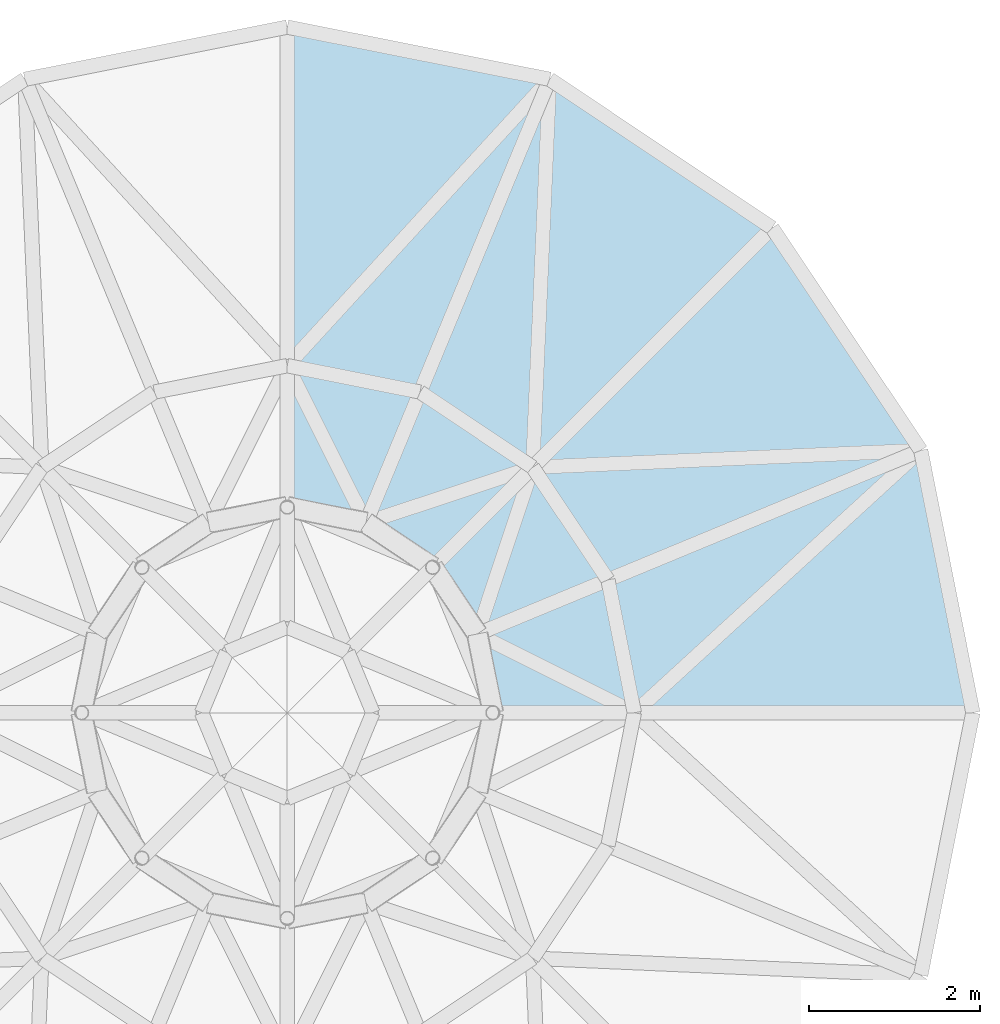
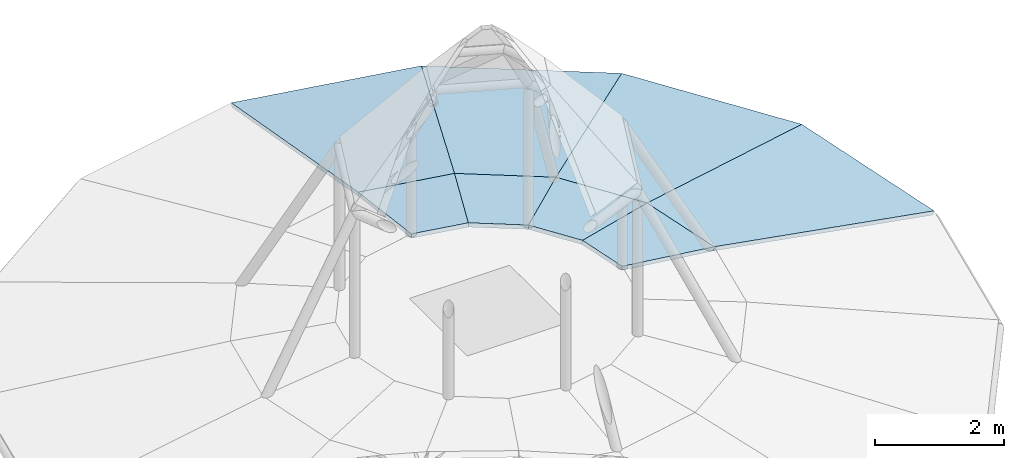
# One storey, part 4 of 4: 8 slabs.
"""IFC4 building model written with IfcOpenShell, lengths in metres."""

from ifc_helpers import new_model, si_unit, direction, frame, origin, place, context, subcontext, project, spatial, faceted_brep, material, layer, layer_set, type_object, element, save


model = new_model("IFC4")

# Units and contexts
model_context = context("Model", 3, precision=1e-05, world=origin(), true_north=direction((0.0, 1.0)))
body_context = subcontext(model_context, "Body", "Model", "MODEL_VIEW")
ifc_project = project(units=[si_unit("LENGTHUNIT", "METRE"), si_unit("AREAUNIT", "SQUARE_METRE"), si_unit("VOLUMEUNIT", "CUBIC_METRE"), si_unit("PLANEANGLEUNIT", "RADIAN"), si_unit("MASSUNIT", "GRAM", prefix="KILO")], contexts=[model_context])

# Site, building, storey
site_placement = place(None, origin())
site = spatial("IfcSite", under=ifc_project, at=site_placement, CompositionType="ELEMENT")
building_placement = place(site_placement, origin())
building = spatial("IfcBuilding", under=site, at=building_placement, Name="Kupolbacken Congress Centre", CompositionType="ELEMENT")
storey_placement = place(building_placement, frame((0.0, 0.0, 37.10009765625)))
storey = spatial("IfcBuildingStorey", under=building, at=storey_placement, Name="ROOF", CompositionType="ELEMENT", Elevation=37.10009765625)

# Slabs
ifc_material = material(Name="Standing seam zinc roofing on boarding", Category="metal")
ifc_layer = layer(ifc_material, 0.074951171875)
ifc_layer_set = layer_set([ifc_layer], Name="Standing seam zinc roofing on boarding")
slab_type = type_object("IfcSlabType", Name="DS1 dome shell panel 75", PredefinedType="ROOF", material=ifc_layer_set)
slab_1_placement = place(storey_placement, origin())
element("IfcSlab", 1, at=slab_1_placement, inside=storey, type_object=slab_type, Name="DM/PNL081", PredefinedType="ROOF", context=body_context, shape_type="Brep", body=[
    faceted_brep([(51.199951171875, 86.39990234375, 1.09912109375), (50.591064453125, 89.46142578125, 1.09912109375), (46.941650390625, 87.949951171875, 1.799072265625), (47.25, 86.39990234375, 1.799072265625), (47.23828125, 86.39990234375, 1.724853515625), (46.930908203125, 87.945556640625, 1.724853515625), (50.574462890625, 89.45458984375, 1.026123046875), (51.181884765625, 86.39990234375, 1.026123046875)], [[[0, 1, 2, 3]], [[4, 5, 6, 7]], [[0, 7, 6, 1]], [[1, 6, 5, 2]], [[2, 5, 4, 3]], [[3, 4, 7, 0]]]),
])
slab_2_placement = place(storey_placement, origin())
element("IfcSlab", 2, at=slab_2_placement, inside=storey, type_object=slab_type, Name="DM/PNL082", PredefinedType="ROOF", context=body_context, shape_type="Brep", body=[
    faceted_brep([(50.591064453125, 89.46142578125, 1.09912109375), (48.85693359375, 92.056884765625, 1.09912109375), (46.063720703125, 89.263671875, 1.799072265625), (46.941650390625, 87.949951171875, 1.799072265625), (46.930908203125, 87.945556640625, 1.724853515625), (46.055419921875, 89.25537109375, 1.724853515625), (48.84423828125, 92.044189453125, 1.026123046875), (50.574462890625, 89.45458984375, 1.026123046875)], [[[0, 1, 2, 3]], [[4, 5, 6, 7]], [[0, 7, 6, 1]], [[1, 6, 5, 2]], [[2, 5, 4, 3]], [[3, 4, 7, 0]]]),
])
slab_3_placement = place(storey_placement, origin())
element("IfcSlab", 3, at=slab_3_placement, inside=storey, type_object=slab_type, Name="DM/PNL083", PredefinedType="ROOF", context=body_context, shape_type="Brep", body=[
    faceted_brep([(48.85693359375, 92.056884765625, 1.09912109375), (46.261474609375, 93.791015625, 1.09912109375), (44.749755859375, 90.1416015625, 1.799072265625), (46.063720703125, 89.263671875, 1.799072265625), (46.055419921875, 89.25537109375, 1.724853515625), (44.745361328125, 90.130859375, 1.724853515625), (46.254638671875, 93.7744140625, 1.026123046875), (48.84423828125, 92.044189453125, 1.026123046875)], [[[0, 1, 2, 3]], [[4, 5, 6, 7]], [[0, 7, 6, 1]], [[1, 6, 5, 2]], [[2, 5, 4, 3]], [[3, 4, 7, 0]]]),
])
slab_4_placement = place(storey_placement, origin())
element("IfcSlab", 4, at=slab_4_placement, inside=storey, type_object=slab_type, Name="DM/PNL084", PredefinedType="ROOF", context=body_context, shape_type="Brep", body=[
    faceted_brep([(46.261474609375, 93.791015625, 1.09912109375), (43.199951171875, 94.39990234375, 1.09912109375), (43.199951171875, 90.449951171875, 1.799072265625), (44.749755859375, 90.1416015625, 1.799072265625), (44.745361328125, 90.130859375, 1.724853515625), (43.199951171875, 90.438232421875, 1.724853515625), (43.199951171875, 94.3818359375, 1.026123046875), (46.254638671875, 93.7744140625, 1.026123046875)], [[[0, 1, 2, 3]], [[4, 5, 6, 7]], [[0, 7, 6, 1]], [[1, 6, 5, 2]], [[2, 5, 4, 3]], [[3, 4, 7, 0]]]),
])
slab_5_placement = place(storey_placement, origin())
element("IfcSlab", 5, at=slab_5_placement, inside=storey, type_object=slab_type, Name="DM/PNL097", PredefinedType="ROOF", context=body_context, shape_type="Brep", body=[
    faceted_brep([(47.25, 86.39990234375, 1.799072265625), (46.941650390625, 87.949951171875, 1.799072265625), (45.417236328125, 87.318359375, 2.006103515625), (45.60009765625, 86.39990234375, 2.006103515625), (45.59033203125, 86.39990234375, 1.931640625), (45.408203125, 87.314697265625, 1.931640625), (46.930908203125, 87.945556640625, 1.724853515625), (47.23828125, 86.39990234375, 1.724853515625)], [[[0, 1, 2, 3]], [[4, 5, 6, 7]], [[0, 7, 6, 1]], [[1, 6, 5, 2]], [[2, 5, 4, 3]], [[3, 4, 7, 0]]]),
])
slab_6_placement = place(storey_placement, origin())
element("IfcSlab", 6, at=slab_6_placement, inside=storey, type_object=slab_type, Name="DM/PNL098", PredefinedType="ROOF", context=body_context, shape_type="Brep", body=[
    faceted_brep([(46.941650390625, 87.949951171875, 1.799072265625), (46.063720703125, 89.263671875, 1.799072265625), (44.89697265625, 88.09716796875, 2.006103515625), (45.417236328125, 87.318359375, 2.006103515625), (45.408203125, 87.314697265625, 1.931640625), (44.89013671875, 88.09033203125, 1.931640625), (46.055419921875, 89.25537109375, 1.724853515625), (46.930908203125, 87.945556640625, 1.724853515625)], [[[0, 1, 2, 3]], [[4, 5, 6, 7]], [[0, 7, 6, 1]], [[1, 6, 5, 2]], [[2, 5, 4, 3]], [[3, 4, 7, 0]]]),
])
slab_7_placement = place(storey_placement, origin())
element("IfcSlab", 7, at=slab_7_placement, inside=storey, type_object=slab_type, Name="DM/PNL099", PredefinedType="ROOF", context=body_context, shape_type="Brep", body=[
    faceted_brep([(46.063720703125, 89.263671875, 1.799072265625), (44.749755859375, 90.1416015625, 1.799072265625), (44.118408203125, 88.617431640625, 2.006103515625), (44.89697265625, 88.09716796875, 2.006103515625), (44.89013671875, 88.09033203125, 1.931640625), (44.11474609375, 88.6083984375, 1.931640625), (44.745361328125, 90.130859375, 1.724853515625), (46.055419921875, 89.25537109375, 1.724853515625)], [[[0, 1, 2, 3]], [[4, 5, 6, 7]], [[0, 7, 6, 1]], [[1, 6, 5, 2]], [[2, 5, 4, 3]], [[3, 4, 7, 0]]]),
])
slab_8_placement = place(storey_placement, origin())
element("IfcSlab", 8, at=slab_8_placement, inside=storey, type_object=slab_type, Name="DM/PNL100", PredefinedType="ROOF", context=body_context, shape_type="Brep", body=[
    faceted_brep([(44.749755859375, 90.1416015625, 1.799072265625), (43.199951171875, 90.449951171875, 1.799072265625), (43.199951171875, 88.800048828125, 2.006103515625), (44.118408203125, 88.617431640625, 2.006103515625), (44.11474609375, 88.6083984375, 1.931640625), (43.199951171875, 88.790283203125, 1.931640625), (43.199951171875, 90.438232421875, 1.724853515625), (44.745361328125, 90.130859375, 1.724853515625)], [[[0, 1, 2, 3]], [[4, 5, 6, 7]], [[0, 7, 6, 1]], [[1, 6, 5, 2]], [[2, 5, 4, 3]], [[3, 4, 7, 0]]]),
])

save(model, "model.ifc")
